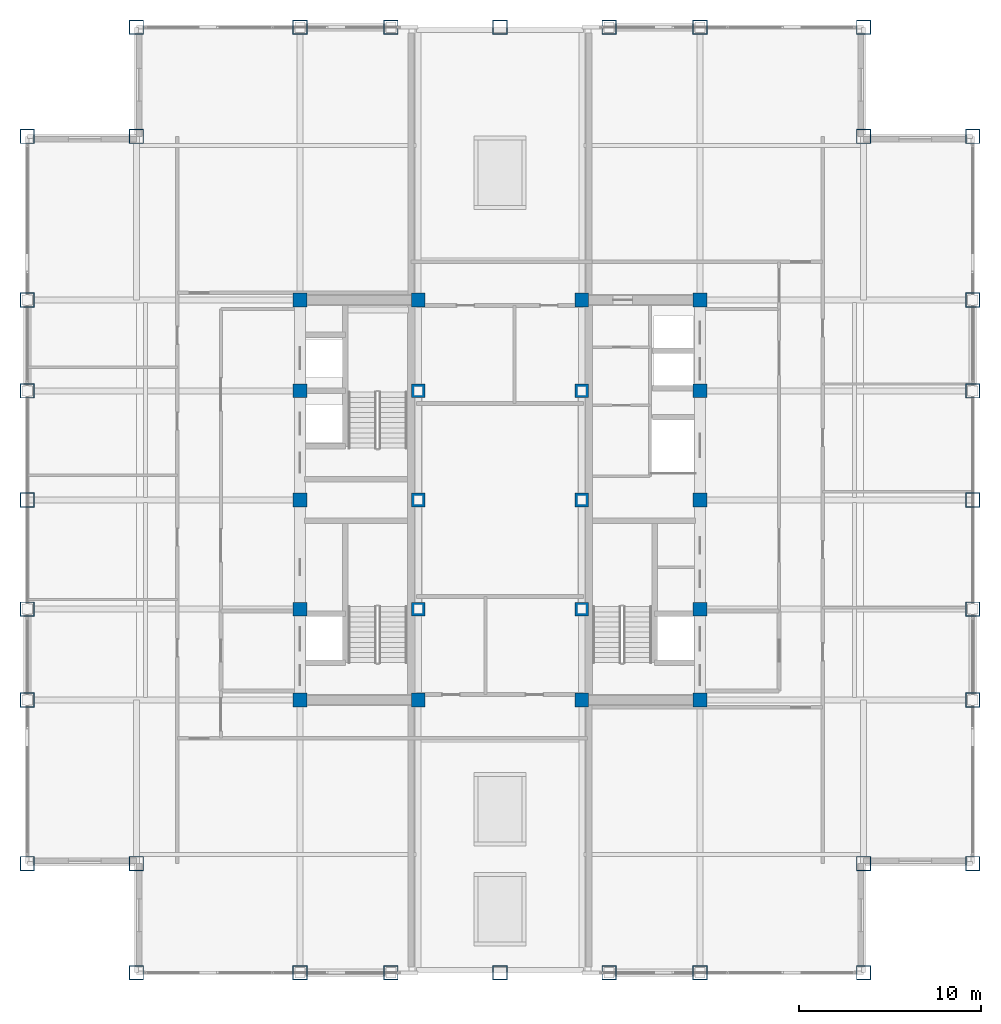
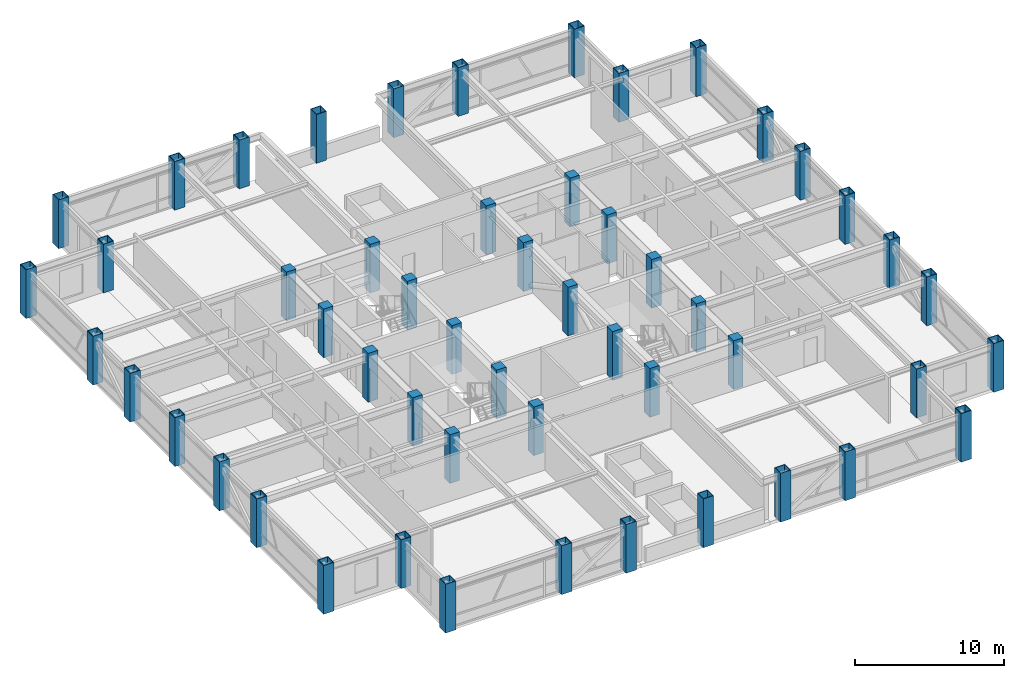
# One storey, part 1 of 29: 52 columns.
"""IFC4 building model written with IfcOpenShell, lengths in metres."""

from ifc_helpers import new_model, si_unit, direction, frame, origin, origin_2d, place, context, subcontext, project, spatial, rectangle, hollow_rectangle, extrude, source, transform, mapped, material, material_profile, profile_set, type_object, element, save


model = new_model("IFC4")

# Units and contexts
model_context = context("Model", 3, precision=1e-05, world=origin(), true_north=direction((0.0, 1.0)))
body_context = subcontext(model_context, "Body", "Model", "MODEL_VIEW")
ifc_project = project(units=[si_unit("LENGTHUNIT", "METRE"), si_unit("AREAUNIT", "SQUARE_METRE"), si_unit("VOLUMEUNIT", "CUBIC_METRE"), si_unit("PLANEANGLEUNIT", "RADIAN"), si_unit("MASSUNIT", "GRAM", prefix="KILO")], contexts=[model_context])

# Site, building, storey
site_placement = place(None, origin())
site = spatial("IfcSite", under=ifc_project, at=site_placement, CompositionType="ELEMENT")
building_placement = place(site_placement, origin())
building = spatial("IfcBuilding", under=site, at=building_placement, Name="Khorayat Bourse Tower", CompositionType="ELEMENT")
storey_placement = place(building_placement, frame((0.0, 0.0, 346.300048828125)))
storey = spatial("IfcBuildingStorey", under=building, at=storey_placement, Name="L82", CompositionType="ELEMENT", Elevation=346.300048828125)

# Columns
ifc_material_1 = material(Name="Concrete C52/65", Category="concrete")
ifc_material_profile_1 = material_profile(ifc_material_1, rectangle(XDim=0.75, YDim=0.75, at=origin_2d()), Name="RC 750x750")
ifc_profile_set_1 = profile_set([ifc_material_profile_1], Name="Concrete C52/65")
column_type_1 = type_object("IfcColumnType", Name="COL-CORE-750", PredefinedType="COLUMN", material=ifc_profile_set_1)
shared_shape_1 = source(origin(), body_context, "Body", "SweptSolid", [
    extrude(rectangle(XDim=0.75, YDim=0.75, at=origin_2d()), origin(), (0.0, 0.0, 1.0), 4.0),
])
for number, where, z_axis, x_axis, name in (
    (1, (-11.0, -11.0, 0.0), (0.0, 0.0, 1.0), (1.0, 0.0, 0.0), "L82 Column 013"),
    (2, (-11.0, -6.0, 0.0), (0.0, 0.0, 1.0), (1.0, 0.0, 0.0), "L82 Column 014"),
    (3, (-11.0, 0.0, 0.0), (0.0, 0.0, 1.0), (1.0, 0.0, 0.0), "L82 Column 015"),
    (4, (-11.0, 6.0, 0.0), (0.0, 0.0, 1.0), (1.0, 0.0, 0.0), "L82 Column 016"),
    (5, (-11.0, 11.0, 0.0), (0.0, 0.0, 1.0), (1.0, 0.0, 0.0), "L82 Column 017"),
    (6, (-4.5, -11.0, 0.0), (0.0, 0.0, 1.0), (1.0, 0.0, 0.0), "L82 Column 021"),
    (7, (-4.5, -6.0, 0.0), (0.0, 0.0, 1.0), (1.0, 0.0, 0.0), "L82 Column 022"),
    (8, (-4.5, 0.0, 0.0), (0.0, 0.0, 1.0), (1.0, 0.0, 0.0), "L82 Column 023"),
    (9, (-4.5, 6.0, 0.0), (0.0, 0.0, 1.0), (1.0, 0.0, 0.0), "L82 Column 024"),
    (10, (-4.5, 11.0, 0.0), (0.0, 0.0, 1.0), (1.0, 0.0, 0.0), "L82 Column 025"),
    (11, (4.5, -11.0, 0.0), (0.0, 0.0, 1.0), (1.0, 0.0, 0.0), "L82 Column 028"),
    (12, (4.5, -6.0, 0.0), (0.0, 0.0, 1.0), (1.0, 0.0, 0.0), "L82 Column 029"),
    (13, (4.5, 0.0, 0.0), (0.0, 0.0, 1.0), (1.0, 0.0, 0.0), "L82 Column 030"),
    (14, (4.5, 6.0, 0.0), (0.0, 0.0, 1.0), (1.0, 0.0, 0.0), "L82 Column 031"),
    (15, (4.5, 11.0, 0.0), (0.0, 0.0, 1.0), (1.0, 0.0, 0.0), "L82 Column 032"),
    (16, (11.0, -11.0, 0.0), (0.0, 0.0, 1.0), (1.0, 0.0, 0.0), "L82 Column 036"),
    (17, (11.0, -6.0, 0.0), (0.0, 0.0, 1.0), (1.0, 0.0, 0.0), "L82 Column 037"),
    (18, (11.0, 0.0, 0.0), (0.0, 0.0, 1.0), (1.0, 0.0, 0.0), "L82 Column 038"),
    (19, (11.0, 6.0, 0.0), (0.0, 0.0, 1.0), (1.0, 0.0, 0.0), "L82 Column 039"),
    (20, (11.0, 11.0, 0.0), (0.0, 0.0, 1.0), (1.0, 0.0, 0.0), "L82 Column 040"),
):
    element("IfcColumn", number, at=place(storey_placement, frame(where, z_axis=z_axis, x_axis=x_axis)), inside=storey, type_object=column_type_1, Name=name, PredefinedType="COLUMN", context=body_context, shape_type="MappedRepresentation", body=[
        mapped(shared_shape_1, transform((0.0, 0.0, 0.0), scale=1.0)),
    ])
ifc_material_2 = material(Name="Steel EN 10025-2 S355J2", Category="steel")
ifc_material_profile_2 = material_profile(ifc_material_2, hollow_rectangle(XDim=0.800048828125, YDim=0.800048828125, WallThickness=0.044921875, at=origin_2d()), Name="BOX 800x800x45")
ifc_profile_set_2 = profile_set([ifc_material_profile_2], Name="Steel EN 10025-2 S355J2")
column_type_2 = type_object("IfcColumnType", Name="COL-TUBE-800", PredefinedType="COLUMN", material=ifc_profile_set_2)
shared_shape_2 = source(origin(), body_context, "Body", "SweptSolid", [
    extrude(hollow_rectangle(XDim=0.800048828125, YDim=0.800048828125, WallThickness=0.044921875, at=origin_2d()), origin(), (0.0, 0.0, 1.0), 4.0),
])
for number, where, z_axis, x_axis, name in (
    (21, (-26.0, -20.0, 0.0), (0.0, 0.0, 1.0), (1.0, 0.0, 0.0), "L82 Column 001"),
    (22, (-26.0, -11.0, 0.0), (0.0, 0.0, 1.0), (1.0, 0.0, 0.0), "L82 Column 002"),
    (23, (-26.0, -6.0, 0.0), (0.0, 0.0, 1.0), (1.0, 0.0, 0.0), "L82 Column 003"),
    (24, (-26.0, 0.0, 0.0), (0.0, 0.0, 1.0), (1.0, 0.0, 0.0), "L82 Column 004"),
    (25, (-26.0, 6.0, 0.0), (0.0, 0.0, 1.0), (1.0, 0.0, 0.0), "L82 Column 005"),
    (26, (-26.0, 11.0, 0.0), (0.0, 0.0, 1.0), (1.0, 0.0, 0.0), "L82 Column 006"),
    (27, (-26.0, 20.0, 0.0), (0.0, 0.0, 1.0), (1.0, 0.0, 0.0), "L82 Column 007"),
    (28, (-20.0, -26.0, 0.0), (0.0, 0.0, 1.0), (1.0, 0.0, 0.0), "L82 Column 008"),
    (29, (-20.0, -20.0, 0.0), (0.0, 0.0, 1.0), (1.0, 0.0, 0.0), "L82 Column 009"),
    (30, (-20.0, 20.0, 0.0), (0.0, 0.0, 1.0), (1.0, 0.0, 0.0), "L82 Column 010"),
    (31, (-20.0, 26.0, 0.0), (0.0, 0.0, 1.0), (1.0, 0.0, 0.0), "L82 Column 011"),
    (32, (-11.0, -26.0, 0.0), (0.0, 0.0, 1.0), (1.0, 0.0, 0.0), "L82 Column 012"),
    (33, (-11.0, 26.0, 0.0), (0.0, 0.0, 1.0), (1.0, 0.0, 0.0), "L82 Column 018"),
    (34, (-6.0, -26.0, 0.0), (0.0, 0.0, 1.0), (1.0, 0.0, 0.0), "L82 Column 019"),
    (35, (-6.0, 26.0, 0.0), (0.0, 0.0, 1.0), (1.0, 0.0, 0.0), "L82 Column 020"),
    (36, (0.0, -26.0, 0.0), (0.0, 0.0, 1.0), (1.0, 0.0, 0.0), "L82 Column 026"),
    (37, (0.0, 26.0, 0.0), (0.0, 0.0, 1.0), (1.0, 0.0, 0.0), "L82 Column 027"),
    (38, (6.0, -26.0, 0.0), (0.0, 0.0, 1.0), (1.0, 0.0, 0.0), "L82 Column 033"),
    (39, (6.0, 26.0, 0.0), (0.0, 0.0, 1.0), (1.0, 0.0, 0.0), "L82 Column 034"),
    (40, (11.0, -26.0, 0.0), (0.0, 0.0, 1.0), (1.0, 0.0, 0.0), "L82 Column 035"),
    (41, (11.0, 26.0, 0.0), (0.0, 0.0, 1.0), (1.0, 0.0, 0.0), "L82 Column 041"),
    (42, (20.0, -26.0, 0.0), (0.0, 0.0, 1.0), (1.0, 0.0, 0.0), "L82 Column 042"),
    (43, (20.0, -20.0, 0.0), (0.0, 0.0, 1.0), (1.0, 0.0, 0.0), "L82 Column 043"),
    (44, (20.0, 20.0, 0.0), (0.0, 0.0, 1.0), (1.0, 0.0, 0.0), "L82 Column 044"),
    (45, (20.0, 26.0, 0.0), (0.0, 0.0, 1.0), (1.0, 0.0, 0.0), "L82 Column 045"),
    (46, (26.0, -20.0, 0.0), (0.0, 0.0, 1.0), (1.0, 0.0, 0.0), "L82 Column 046"),
    (47, (26.0, -11.0, 0.0), (0.0, 0.0, 1.0), (1.0, 0.0, 0.0), "L82 Column 047"),
    (48, (26.0, -6.0, 0.0), (0.0, 0.0, 1.0), (1.0, 0.0, 0.0), "L82 Column 048"),
    (49, (26.0, 0.0, 0.0), (0.0, 0.0, 1.0), (1.0, 0.0, 0.0), "L82 Column 049"),
    (50, (26.0, 6.0, 0.0), (0.0, 0.0, 1.0), (1.0, 0.0, 0.0), "L82 Column 050"),
    (51, (26.0, 11.0, 0.0), (0.0, 0.0, 1.0), (1.0, 0.0, 0.0), "L82 Column 051"),
    (52, (26.0, 20.0, 0.0), (0.0, 0.0, 1.0), (1.0, 0.0, 0.0), "L82 Column 052"),
):
    element("IfcColumn", number, at=place(storey_placement, frame(where, z_axis=z_axis, x_axis=x_axis)), inside=storey, type_object=column_type_2, Name=name, PredefinedType="COLUMN", context=body_context, shape_type="MappedRepresentation", body=[
        mapped(shared_shape_2, transform((0.0, 0.0, 0.0), scale=1.0)),
    ])

save(model, "model.ifc")
